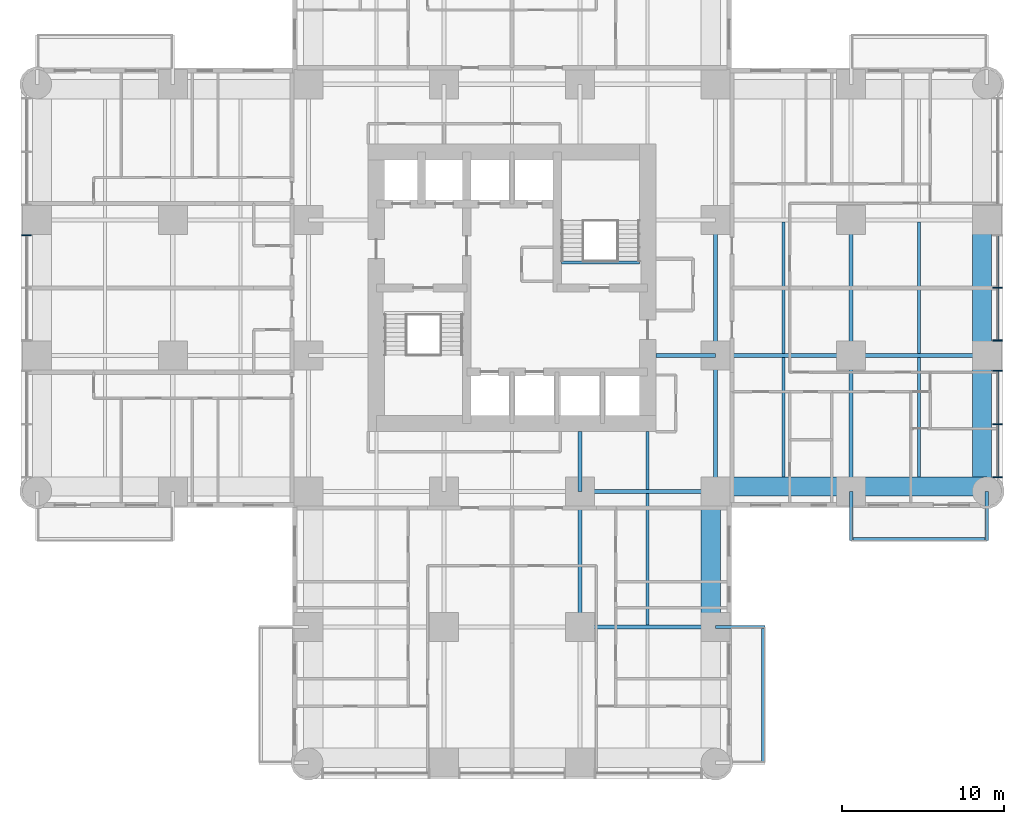
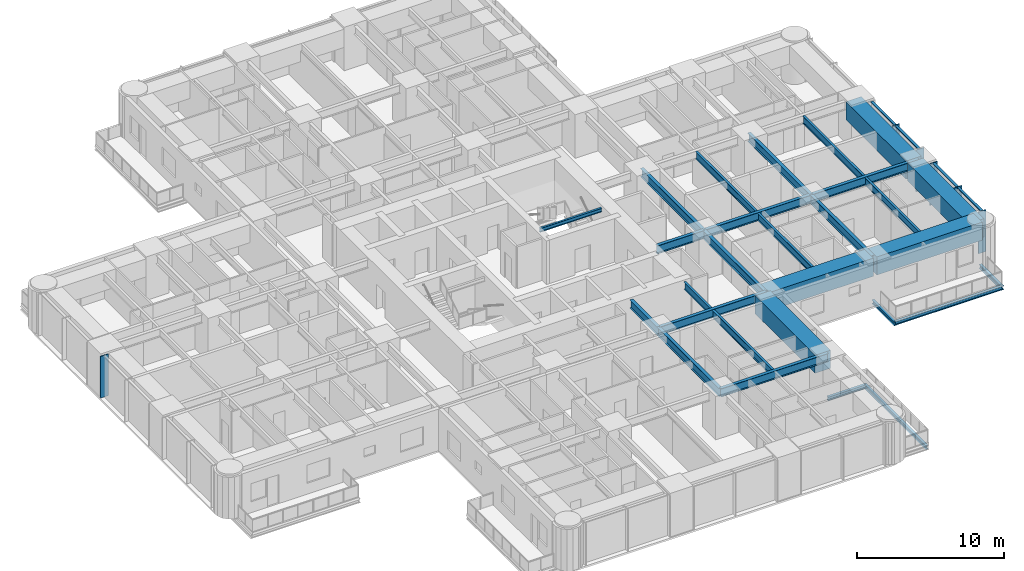
# One storey, part 3 of 17: 28 beams, 10 members, 2 elements without a shape of their own.
"""IFC4 building model written with IfcOpenShell, lengths in metres."""

from ifc_helpers import new_model, si_unit, direction, frame, origin, origin_2d, place, context, subcontext, project, spatial, rectangle, i_section, extrude, material, material_profile, profile_set, type_object, element, aggregate, save


model = new_model("IFC4")

# Units and contexts
model_context = context("Model", 3, precision=1e-05, world=origin(), true_north=direction((0.0, 1.0)))
body_context = subcontext(model_context, "Body", "Model", "MODEL_VIEW")
ifc_project = project(units=[si_unit("LENGTHUNIT", "METRE"), si_unit("AREAUNIT", "SQUARE_METRE"), si_unit("VOLUMEUNIT", "CUBIC_METRE"), si_unit("PLANEANGLEUNIT", "RADIAN"), si_unit("MASSUNIT", "GRAM", prefix="KILO")], contexts=[model_context])

# Site, building, storey
site_placement = place(None, origin())
site = spatial("IfcSite", under=ifc_project, at=site_placement, CompositionType="ELEMENT")
building_placement = place(site_placement, origin())
building = spatial("IfcBuilding", under=site, at=building_placement, Name="Torre Alcanfor", CompositionType="ELEMENT")
storey_placement = place(building_placement, frame((0.0, 0.0, 77.699951171875)))
storey = spatial("IfcBuildingStorey", under=building, at=storey_placement, Name="L19", CompositionType="ELEMENT", Elevation=77.699951171875)

# Beams
ifc_material_1 = material(Name="Steel ASTM A992 Grade 50", Category="steel")
ifc_material_profile_1 = material_profile(ifc_material_1, i_section(OverallWidth=0.205322265625, OverallDepth=0.309814453125, WebThickness=0.00927734375, FlangeThickness=0.016357421875, at=origin_2d()), Name="W12x50")
ifc_profile_set_1 = profile_set([ifc_material_profile_1], Name="Steel ASTM A992 Grade 50")
beam_type_1 = type_object("IfcBeamType", Name="Balcony cantilever beam W12x50", PredefinedType="BEAM", material=ifc_profile_set_1)
for number, where, z_axis, x_axis, name in (
    (1, (50.39990234375, 16.800048828125, -0.35498046875), (0.0, -1.0, 0.0), (1.0, 0.0, 0.0), "Balcony cantilever beam L19-E2 1"),
    (2, (58.800048828125, 16.800048828125, -0.35498046875), (0.0, -1.0, 0.0), (1.0, 0.0, 0.0), "Balcony cantilever beam L19-E2 2"),
    (3, (42.0, 8.39990234375, -0.35498046875), (1.0, 0.0, 0.0), (0.0, 1.0, 0.0), "Balcony cantilever beam L19-S1 1"),
):
    element("IfcBeam", number, at=place(storey_placement, frame(where, z_axis=z_axis, x_axis=x_axis)), inside=storey, type_object=beam_type_1, Name=name, PredefinedType="BEAM", context=body_context, shape_type="SweptSolid", body=[
        extrude(i_section(OverallWidth=0.205322265625, OverallDepth=0.309814453125, WebThickness=0.00927734375, FlangeThickness=0.016357421875, at=origin_2d()), origin(), (0.0, 0.0, 1.0), 3.050048828125),
    ])
ifc_material_2 = material(Name="Steel ASTM A992 Grade 50", Category="steel")
ifc_material_profile_2 = material_profile(ifc_material_2, i_section(OverallWidth=0.203369140625, OverallDepth=0.30224609375, WebThickness=0.007568359375, FlangeThickness=0.01318359375, at=origin_2d()), Name="W12x40")
ifc_profile_set_2 = profile_set([ifc_material_profile_2], Name="Steel ASTM A992 Grade 50")
beam_type_2 = type_object("IfcBeamType", Name="Balcony edge trimmer W12x40", PredefinedType="BEAM", material=ifc_profile_set_2)
beam_1_placement = place(storey_placement, frame((50.39990234375, 13.851806640625, -0.35107421875), z_axis=(1.0, 0.0, 0.0), x_axis=(0.0, 1.0, 0.0)))
element("IfcBeam", 4, at=beam_1_placement, inside=storey, type_object=beam_type_2, Name="Balcony edge trimmer L19-E2", PredefinedType="BEAM", context=body_context, shape_type="SweptSolid", body=[
    extrude(i_section(OverallWidth=0.203369140625, OverallDepth=0.30224609375, WebThickness=0.007568359375, FlangeThickness=0.01318359375, at=origin_2d()), origin(), (0.0, 0.0, 1.0), 8.400146484375),
])
beam_2_placement = place(storey_placement, frame((44.9482421875, 8.39990234375, -0.35107421875), z_axis=(0.0, -1.0, 0.0), x_axis=(1.0, 0.0, 0.0)))
element("IfcBeam", 5, at=beam_2_placement, inside=storey, type_object=beam_type_2, Name="Balcony edge trimmer L19-S1", PredefinedType="BEAM", context=body_context, shape_type="SweptSolid", body=[
    extrude(i_section(OverallWidth=0.203369140625, OverallDepth=0.30224609375, WebThickness=0.007568359375, FlangeThickness=0.01318359375, at=origin_2d()), origin(), (0.0, 0.0, 1.0), 8.39990234375),
])

# Curtain wall, member
ifc_material_3 = material(Name="Aluminium and glass", Category="aluminium")
curtain_wall_type = type_object("IfcCurtainWallType", Name="CW-A unitised apartment glazing with vertical FIN", PredefinedType="NOTDEFINED", material=ifc_material_3)
curtain_wall_1_placement = place(storey_placement, origin())
curtain_wall_1 = element("IfcCurtainWall", 6, at=curtain_wall_1_placement, inside=storey, type_object=curtain_wall_type, Name="Curtain wall CW-A L19 2", PredefinedType="NOTDEFINED")
ifc_material_4 = material(Name="Bronze anodised aluminium", Category="aluminium")
ifc_material_profile_3 = material_profile(ifc_material_4, rectangle(XDim=0.60009765625, YDim=0.06494140625, at=origin_2d()), Name="CW-A mullion 65x600")
ifc_profile_set_3 = profile_set([ifc_material_profile_3], Name="Bronze anodised aluminium")
member_type_1 = type_object("IfcMemberType", Name="CW-A mullion with vertical FIN 65x600", PredefinedType="MULLION", material=ifc_profile_set_3)
member_1_placement = place(storey_placement, frame((-0.64990234375, 32.66259765625, 0.0), z_axis=(0.0, 0.0, 1.0), x_axis=(1.0, 0.0, 0.0)))
member_1 = element("IfcMember", 7, at=member_1_placement, type_object=member_type_1, Name="CW-A mullion 2.1", PredefinedType="MULLION", context=body_context, shape_type="SweptSolid", body=[
    extrude(rectangle(XDim=0.60009765625, YDim=0.06494140625, at=origin_2d()), origin(), (0.0, 0.0, 1.0), 3.449951171875),
])
aggregate(curtain_wall_1, [member_1])

# Curtain wall, members
curtain_wall_2_placement = place(storey_placement, origin())
curtain_wall_2 = element("IfcCurtainWall", 8, at=curtain_wall_2_placement, inside=storey, type_object=curtain_wall_type, Name="Curtain wall CW-A L19 8", PredefinedType="NOTDEFINED")
member_2_placement = place(storey_placement, frame((59.449951171875, 17.6669921875, 0.0), z_axis=(0.0, 0.0, 1.0), x_axis=(-1.0, 0.0, 0.0)))
member_2 = element("IfcMember", 9, at=member_2_placement, type_object=member_type_1, Name="CW-A mullion 1.1", PredefinedType="MULLION", context=body_context, shape_type="SweptSolid", body=[
    extrude(rectangle(XDim=0.60009765625, YDim=0.06494140625, at=origin_2d()), origin(), (0.0, 0.0, 1.0), 3.449951171875),
])
member_3_placement = place(storey_placement, frame((59.449951171875, 20.96484375, 0.0), z_axis=(0.0, 0.0, 1.0), x_axis=(-1.0, 0.0, 0.0)))
member_3 = element("IfcMember", 10, at=member_3_placement, type_object=member_type_1, Name="CW-A mullion 1.2", PredefinedType="MULLION", context=body_context, shape_type="SweptSolid", body=[
    extrude(rectangle(XDim=0.60009765625, YDim=0.06494140625, at=origin_2d()), origin(), (0.0, 0.0, 1.0), 3.449951171875),
])
member_4_placement = place(storey_placement, frame((59.449951171875, 24.262451171875, 0.0), z_axis=(0.0, 0.0, 1.0), x_axis=(-1.0, 0.0, 0.0)))
member_4 = element("IfcMember", 11, at=member_4_placement, type_object=member_type_1, Name="CW-A mullion 1.3", PredefinedType="MULLION", context=body_context, shape_type="SweptSolid", body=[
    extrude(rectangle(XDim=0.60009765625, YDim=0.06494140625, at=origin_2d()), origin(), (0.0, 0.0, 1.0), 3.449951171875),
])
member_5_placement = place(storey_placement, frame((59.449951171875, 26.137451171875, 0.0), z_axis=(0.0, 0.0, 1.0), x_axis=(-1.0, 0.0, 0.0)))
member_5 = element("IfcMember", 12, at=member_5_placement, type_object=member_type_1, Name="CW-A mullion 2.1", PredefinedType="MULLION", context=body_context, shape_type="SweptSolid", body=[
    extrude(rectangle(XDim=0.60009765625, YDim=0.06494140625, at=origin_2d()), origin(), (0.0, 0.0, 1.0), 3.449951171875),
])
member_6_placement = place(storey_placement, frame((59.449951171875, 29.39990234375, 0.0), z_axis=(0.0, 0.0, 1.0), x_axis=(-1.0, 0.0, 0.0)))
member_6 = element("IfcMember", 13, at=member_6_placement, type_object=member_type_1, Name="CW-A mullion 2.2", PredefinedType="MULLION", context=body_context, shape_type="SweptSolid", body=[
    extrude(rectangle(XDim=0.60009765625, YDim=0.06494140625, at=origin_2d()), origin(), (0.0, 0.0, 1.0), 3.449951171875),
])
ifc_material_5 = material(Name="Extruded aluminium", Category="aluminium")
ifc_material_profile_4 = material_profile(ifc_material_5, rectangle(XDim=0.199951171875, YDim=0.06494140625, at=origin_2d()), Name="CW-A transom 200x65")
ifc_profile_set_4 = profile_set([ifc_material_profile_4], Name="Extruded aluminium")
member_type_2 = type_object("IfcMemberType", Name="CW-A transom 65x200", PredefinedType="USERDEFINED", material=ifc_profile_set_4)
member_7_placement = place(storey_placement, frame((59.449951171875, 17.699462890625, 3.41748046875), z_axis=(0.0, 1.0, 0.0), x_axis=(-1.0, 0.0, 0.0)))
member_7 = element("IfcMember", 14, at=member_7_placement, type_object=member_type_2, Name="CW-A transom 1.1.2", ObjectType="TRANSOM", PredefinedType="USERDEFINED", context=body_context, shape_type="SweptSolid", body=[
    extrude(rectangle(XDim=0.199951171875, YDim=0.06494140625, at=origin_2d()), origin(), (0.0, 0.0, 1.0), 3.232666015625),
])
member_8_placement = place(storey_placement, frame((59.449951171875, 20.997314453125, 3.41748046875), z_axis=(0.0, 1.0, 0.0), x_axis=(-1.0, 0.0, 0.0)))
member_8 = element("IfcMember", 15, at=member_8_placement, type_object=member_type_2, Name="CW-A transom 1.2.2", ObjectType="TRANSOM", PredefinedType="USERDEFINED", context=body_context, shape_type="SweptSolid", body=[
    extrude(rectangle(XDim=0.199951171875, YDim=0.06494140625, at=origin_2d()), origin(), (0.0, 0.0, 1.0), 3.232666015625),
])
member_9_placement = place(storey_placement, frame((59.449951171875, 26.169921875, 3.41748046875), z_axis=(0.0, 1.0, 0.0), x_axis=(-1.0, 0.0, 0.0)))
member_9 = element("IfcMember", 16, at=member_9_placement, type_object=member_type_2, Name="CW-A transom 2.1.2", ObjectType="TRANSOM", PredefinedType="USERDEFINED", context=body_context, shape_type="SweptSolid", body=[
    extrude(rectangle(XDim=0.199951171875, YDim=0.06494140625, at=origin_2d()), origin(), (0.0, 0.0, 1.0), 3.197509765625),
])
member_10_placement = place(storey_placement, frame((59.449951171875, 29.4326171875, 3.41748046875), z_axis=(0.0, 1.0, 0.0), x_axis=(-1.0, 0.0, 0.0)))
member_10 = element("IfcMember", 17, at=member_10_placement, type_object=member_type_2, Name="CW-A transom 2.2.2", ObjectType="TRANSOM", PredefinedType="USERDEFINED", context=body_context, shape_type="SweptSolid", body=[
    extrude(rectangle(XDim=0.199951171875, YDim=0.06494140625, at=origin_2d()), origin(), (0.0, 0.0, 1.0), 3.197265625),
])
aggregate(curtain_wall_2, [member_2, member_3, member_4, member_7, member_8, member_5, member_6, member_9, member_10])

# Beams
ifc_material_6 = material(Name="Steel ASTM A992 Grade 50", Category="steel")
ifc_material_profile_5 = material_profile(ifc_material_6, i_section(OverallWidth=0.25390625, OverallDepth=0.683349609375, WebThickness=0.012451171875, FlangeThickness=0.01904296875, at=origin_2d()), Name="W27x94")
ifc_profile_set_5 = profile_set([ifc_material_profile_5], Name="Steel ASTM A992 Grade 50")
beam_type_3 = type_object("IfcBeamType", Name="Girder W27x94", PredefinedType="BEAM", material=ifc_profile_set_5)
for number, where, z_axis, x_axis, name in (
    (18, (33.60009765625, 8.39990234375, 3.1083984375), (1.0, 0.0, 0.0), (0.0, 1.0, 0.0), "Beam 5D-6D under L20"),
    (19, (33.60009765625, 16.800048828125, 3.1083984375), (1.0, 0.0, 0.0), (0.0, 1.0, 0.0), "Beam 5E-6E under L20"),
    (20, (42.0, 25.199951171875, 3.1083984375), (1.0, 0.0, 0.0), (0.0, 1.0, 0.0), "Beam 6F-7F under L20"),
):
    element("IfcBeam", number, at=place(storey_placement, frame(where, z_axis=z_axis, x_axis=x_axis)), inside=storey, type_object=beam_type_3, Name=name, PredefinedType="BEAM", context=body_context, shape_type="SweptSolid", body=[
        extrude(i_section(OverallWidth=0.25390625, OverallDepth=0.683349609375, WebThickness=0.012451171875, FlangeThickness=0.01904296875, at=origin_2d()), origin(), (0.0, 0.0, 1.0), 8.39990234375),
    ])
for number, where, z_axis, x_axis, name in (
    (21, (50.39990234375, 25.199951171875, 3.1083984375), (1.0, 0.0, 0.0), (0.0, 1.0, 0.0), "Beam 7F-8F under L20"),
    (22, (33.60009765625, 8.39990234375, 3.1083984375), (0.0, 1.0, 0.0), (-1.0, 0.0, 0.0), "Beam 5D-5E under L20"),
):
    element("IfcBeam", number, at=place(storey_placement, frame(where, z_axis=z_axis, x_axis=x_axis)), inside=storey, type_object=beam_type_3, Name=name, PredefinedType="BEAM", context=body_context, shape_type="SweptSolid", body=[
        extrude(i_section(OverallWidth=0.25390625, OverallDepth=0.683349609375, WebThickness=0.012451171875, FlangeThickness=0.01904296875, at=origin_2d()), origin(), (0.0, 0.0, 1.0), 8.400146484375),
    ])
beam_3_placement = place(storey_placement, frame((42.0, 16.800048828125, 3.1083984375), z_axis=(0.0, 1.0, 0.0), x_axis=(-1.0, 0.0, 0.0)))
element("IfcBeam", 23, at=beam_3_placement, inside=storey, type_object=beam_type_3, Name="Beam 6E-6F under L20", PredefinedType="BEAM", context=body_context, shape_type="SweptSolid", body=[
    extrude(i_section(OverallWidth=0.25390625, OverallDepth=0.683349609375, WebThickness=0.012451171875, FlangeThickness=0.01904296875, at=origin_2d()), origin(), (0.0, 0.0, 1.0), 8.39990234375),
])
beam_4_placement = place(storey_placement, frame((42.0, 25.199951171875, 3.1083984375), z_axis=(0.0, 1.0, 0.0), x_axis=(-1.0, 0.0, 0.0)))
element("IfcBeam", 24, at=beam_4_placement, inside=storey, type_object=beam_type_3, Name="Beam 6F-6G under L20", PredefinedType="BEAM", context=body_context, shape_type="SweptSolid", body=[
    extrude(i_section(OverallWidth=0.25390625, OverallDepth=0.683349609375, WebThickness=0.012451171875, FlangeThickness=0.01904296875, at=origin_2d()), origin(), (0.0, 0.0, 1.0), 8.400146484375),
])
beam_5_placement = place(storey_placement, frame((50.39990234375, 16.800048828125, 3.1083984375), z_axis=(0.0, 1.0, 0.0), x_axis=(-1.0, 0.0, 0.0)))
element("IfcBeam", 25, at=beam_5_placement, inside=storey, type_object=beam_type_3, Name="Beam 7E-7F under L20", PredefinedType="BEAM", context=body_context, shape_type="SweptSolid", body=[
    extrude(i_section(OverallWidth=0.25390625, OverallDepth=0.683349609375, WebThickness=0.012451171875, FlangeThickness=0.01904296875, at=origin_2d()), origin(), (0.0, 0.0, 1.0), 8.39990234375),
])
beam_6_placement = place(storey_placement, frame((50.39990234375, 25.199951171875, 3.1083984375), z_axis=(0.0, 1.0, 0.0), x_axis=(-1.0, 0.0, 0.0)))
element("IfcBeam", 26, at=beam_6_placement, inside=storey, type_object=beam_type_3, Name="Beam 7F-7G under L20", PredefinedType="BEAM", context=body_context, shape_type="SweptSolid", body=[
    extrude(i_section(OverallWidth=0.25390625, OverallDepth=0.683349609375, WebThickness=0.012451171875, FlangeThickness=0.01904296875, at=origin_2d()), origin(), (0.0, 0.0, 1.0), 8.400146484375),
])
ifc_material_7 = material(Name="Steel ASTM A992 Grade 50", Category="steel")
ifc_material_profile_6 = material_profile(ifc_material_7, i_section(OverallWidth=0.25390625, OverallDepth=0.683349609375, WebThickness=0.012451171875, FlangeThickness=0.01904296875, at=origin_2d()), Name="W27x94")
ifc_profile_set_6 = profile_set([ifc_material_profile_6], Name="Steel ASTM A992 Grade 50")
beam_type_4 = type_object("IfcBeamType", Name="Girder, part bay W27x94", PredefinedType="BEAM", material=ifc_profile_set_6)
for number, where, z_axis, x_axis, name in (
    (27, (33.60009765625, 16.800048828125, 3.1083984375), (0.0, 1.0, 0.0), (-1.0, 0.0, 0.0), "Beam 5E-520_5 under L20"),
    (28, (42.0, 25.199951171875, 3.1083984375), (-1.0, 0.0, 0.0), (0.0, -1.0, 0.0), "Beam 6F-38_3F under L20"),
):
    element("IfcBeam", number, at=place(storey_placement, frame(where, z_axis=z_axis, x_axis=x_axis)), inside=storey, type_object=beam_type_4, Name=name, PredefinedType="BEAM", context=body_context, shape_type="SweptSolid", body=[
        extrude(i_section(OverallWidth=0.25390625, OverallDepth=0.683349609375, WebThickness=0.012451171875, FlangeThickness=0.01904296875, at=origin_2d()), origin(), (0.0, 0.0, 1.0), 3.699951171875),
    ])
ifc_material_8 = material(Name="Concrete f'c 70 MPa", Category="concrete")
ifc_material_profile_7 = material_profile(ifc_material_8, rectangle(XDim=1.199951171875, YDim=1.5, at=origin_2d()), Name="1200x1500")
ifc_profile_set_7 = profile_set([ifc_material_profile_7], Name="Concrete f'c 70 MPa")
beam_type_5 = type_object("IfcBeamType", Name="RC perimeter beam 1200x1500", PredefinedType="BEAM", material=ifc_profile_set_7)
beam_7_placement = place(storey_placement, frame((42.126953125, 17.10009765625, 2.699951171875), z_axis=(1.0, 0.0, 0.0), x_axis=(0.0, 1.0, 0.0)))
element("IfcBeam", 29, at=beam_7_placement, inside=storey, type_object=beam_type_5, Name="Beam 6E-7E under L20", PredefinedType="BEAM", context=body_context, shape_type="SweptSolid", body=[
    extrude(rectangle(XDim=1.199951171875, YDim=1.5, at=origin_2d()), origin(), (0.0, 0.0, 1.0), 8.14599609375),
])
beam_8_placement = place(storey_placement, frame((50.527099609375, 17.10009765625, 2.699951171875), z_axis=(1.0, 0.0, 0.0), x_axis=(0.0, 1.0, 0.0)))
element("IfcBeam", 30, at=beam_8_placement, inside=storey, type_object=beam_type_5, Name="Beam 7E-8E under L20", PredefinedType="BEAM", context=body_context, shape_type="SweptSolid", body=[
    extrude(rectangle(XDim=1.199951171875, YDim=1.5, at=origin_2d()), origin(), (0.0, 0.0, 1.0), 8.27294921875),
])
beam_9_placement = place(storey_placement, frame((41.699951171875, 8.527099609375, 2.699951171875), z_axis=(0.0, 1.0, 0.0), x_axis=(-1.0, 0.0, 0.0)))
element("IfcBeam", 31, at=beam_9_placement, inside=storey, type_object=beam_type_5, Name="Beam 6D-6E under L20", PredefinedType="BEAM", context=body_context, shape_type="SweptSolid", body=[
    extrude(rectangle(XDim=1.199951171875, YDim=1.5, at=origin_2d()), origin(), (0.0, 0.0, 1.0), 8.14599609375),
])
beam_10_placement = place(storey_placement, frame((58.5, 16.800048828125, 2.699951171875), z_axis=(0.0, 1.0, 0.0), x_axis=(-1.0, 0.0, 0.0)))
element("IfcBeam", 32, at=beam_10_placement, inside=storey, type_object=beam_type_5, Name="Beam 8E-8F under L20", PredefinedType="BEAM", context=body_context, shape_type="SweptSolid", body=[
    extrude(rectangle(XDim=1.199951171875, YDim=1.5, at=origin_2d()), origin(), (0.0, 0.0, 1.0), 8.27294921875),
])
beam_11_placement = place(storey_placement, frame((58.5, 25.326904296875, 2.699951171875), z_axis=(0.0, 1.0, 0.0), x_axis=(-1.0, 0.0, 0.0)))
element("IfcBeam", 33, at=beam_11_placement, inside=storey, type_object=beam_type_5, Name="Beam 8F-8G under L20", PredefinedType="BEAM", context=body_context, shape_type="SweptSolid", body=[
    extrude(rectangle(XDim=1.199951171875, YDim=1.5, at=origin_2d()), origin(), (0.0, 0.0, 1.0), 8.14599609375),
])
ifc_material_9 = material(Name="Steel ASTM A992 Grade 50", Category="steel")
ifc_material_profile_8 = material_profile(ifc_material_9, i_section(OverallWidth=0.1787109375, OverallDepth=0.60205078125, WebThickness=0.010986328125, FlangeThickness=0.014892578125, at=origin_2d()), Name="W24x62")
ifc_profile_set_8 = profile_set([ifc_material_profile_8], Name="Steel ASTM A992 Grade 50")
beam_type_6 = type_object("IfcBeamType", Name="Secondary beam W24x62", PredefinedType="BEAM", material=ifc_profile_set_8)
beam_12_placement = place(storey_placement, frame((37.800048828125, 8.527099609375, 3.149169921875), z_axis=(0.0, 1.0, 0.0), x_axis=(-1.0, 0.0, 0.0)))
element("IfcBeam", 34, at=beam_12_placement, inside=storey, type_object=beam_type_6, Name="Beam 37_8D-37_8E under L20", PredefinedType="BEAM", context=body_context, shape_type="SweptSolid", body=[
    extrude(i_section(OverallWidth=0.1787109375, OverallDepth=0.60205078125, WebThickness=0.010986328125, FlangeThickness=0.014892578125, at=origin_2d()), origin(), (0.0, 0.0, 1.0), 8.14599609375),
])
beam_13_placement = place(storey_placement, frame((46.199951171875, 17.699951171875, 3.149169921875), z_axis=(0.0, 1.0, 0.0), x_axis=(-1.0, 0.0, 0.0)))
element("IfcBeam", 35, at=beam_13_placement, inside=storey, type_object=beam_type_6, Name="Beam 46_2E-46_2F under L20", PredefinedType="BEAM", context=body_context, shape_type="SweptSolid", body=[
    extrude(i_section(OverallWidth=0.1787109375, OverallDepth=0.60205078125, WebThickness=0.010986328125, FlangeThickness=0.014892578125, at=origin_2d()), origin(), (0.0, 0.0, 1.0), 7.373046875),
])
beam_14_placement = place(storey_placement, frame((46.199951171875, 25.326904296875, 3.149169921875), z_axis=(0.0, 1.0, 0.0), x_axis=(-1.0, 0.0, 0.0)))
element("IfcBeam", 36, at=beam_14_placement, inside=storey, type_object=beam_type_6, Name="Beam 46_2F-46_2G under L20", PredefinedType="BEAM", context=body_context, shape_type="SweptSolid", body=[
    extrude(i_section(OverallWidth=0.1787109375, OverallDepth=0.60205078125, WebThickness=0.010986328125, FlangeThickness=0.014892578125, at=origin_2d()), origin(), (0.0, 0.0, 1.0), 8.14599609375),
])
beam_15_placement = place(storey_placement, frame((54.60009765625, 17.699951171875, 3.149169921875), z_axis=(0.0, 1.0, 0.0), x_axis=(-1.0, 0.0, 0.0)))
element("IfcBeam", 37, at=beam_15_placement, inside=storey, type_object=beam_type_6, Name="Beam 54_6E-54_6F under L20", PredefinedType="BEAM", context=body_context, shape_type="SweptSolid", body=[
    extrude(i_section(OverallWidth=0.1787109375, OverallDepth=0.60205078125, WebThickness=0.010986328125, FlangeThickness=0.014892578125, at=origin_2d()), origin(), (0.0, 0.0, 1.0), 7.373046875),
])
beam_16_placement = place(storey_placement, frame((54.60009765625, 25.326904296875, 3.149169921875), z_axis=(0.0, 1.0, 0.0), x_axis=(-1.0, 0.0, 0.0)))
element("IfcBeam", 38, at=beam_16_placement, inside=storey, type_object=beam_type_6, Name="Beam 54_6F-54_6G under L20", PredefinedType="BEAM", context=body_context, shape_type="SweptSolid", body=[
    extrude(i_section(OverallWidth=0.1787109375, OverallDepth=0.60205078125, WebThickness=0.010986328125, FlangeThickness=0.014892578125, at=origin_2d()), origin(), (0.0, 0.0, 1.0), 8.14599609375),
])
ifc_material_10 = material(Name="Steel ASTM A992 Grade 50", Category="steel")
ifc_material_profile_9 = material_profile(ifc_material_10, i_section(OverallWidth=0.1787109375, OverallDepth=0.60205078125, WebThickness=0.010986328125, FlangeThickness=0.014892578125, at=origin_2d()), Name="W24x62")
ifc_profile_set_9 = profile_set([ifc_material_profile_9], Name="Steel ASTM A992 Grade 50")
beam_type_7 = type_object("IfcBeamType", Name="Secondary beam, part bay W24x62", PredefinedType="BEAM", material=ifc_profile_set_9)
beam_17_placement = place(storey_placement, frame((37.800048828125, 16.927001953125, 3.149169921875), z_axis=(0.0, 1.0, 0.0), x_axis=(-1.0, 0.0, 0.0)))
element("IfcBeam", 39, at=beam_17_placement, inside=storey, type_object=beam_type_7, Name="Beam 37_8E-37_820_5 under L20", PredefinedType="BEAM", context=body_context, shape_type="SweptSolid", body=[
    extrude(i_section(OverallWidth=0.1787109375, OverallDepth=0.60205078125, WebThickness=0.010986328125, FlangeThickness=0.014892578125, at=origin_2d()), origin(), (0.0, 0.0, 1.0), 3.572998046875),
])
ifc_material_11 = material(Name="Steel ASTM A992 Grade 50", Category="steel")
ifc_material_profile_10 = material_profile(ifc_material_11, i_section(OverallWidth=0.164794921875, OverallDepth=0.309814453125, WebThickness=0.005859375, FlangeThickness=0.009765625, at=origin_2d()), Name="W12x26")
ifc_profile_set_10 = profile_set([ifc_material_profile_10], Name="Steel ASTM A992 Grade 50")
beam_type_8 = type_object("IfcBeamType", Name="Stair landing beam W12x26", PredefinedType="BEAM", material=ifc_profile_set_10)
beam_18_placement = place(storey_placement, frame((32.449951171875, 30.962646484375, 3.2451171875), z_axis=(1.0, 0.0, 0.0), x_axis=(0.0, 1.0, 0.0)))
element("IfcBeam", 40, at=beam_18_placement, inside=storey, type_object=beam_type_8, Name="Landing trimmer S2 L20", PredefinedType="BEAM", context=body_context, shape_type="SweptSolid", body=[
    extrude(i_section(OverallWidth=0.164794921875, OverallDepth=0.309814453125, WebThickness=0.005859375, FlangeThickness=0.009765625, at=origin_2d()), origin(), (0.0, 0.0, 1.0), 4.85009765625),
])

save(model, "model.ifc")
